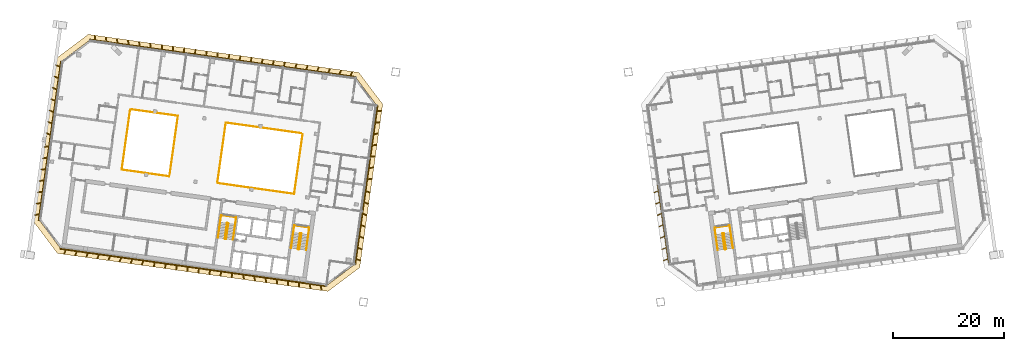
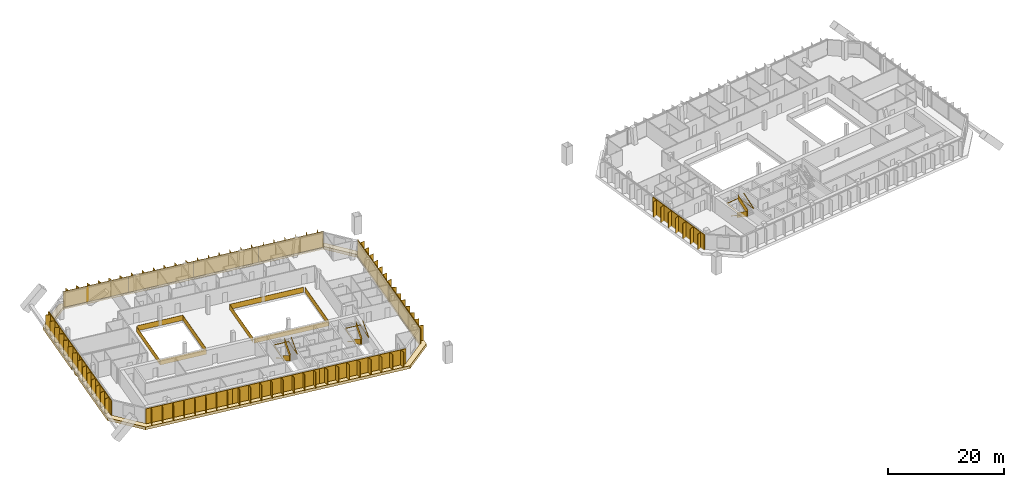
# One storey, part 28 of 29: 12 shading devices, 10 railings, 1 covering.
"""IFC4 building model written with IfcOpenShell, lengths in metres."""

from ifc_helpers import new_model, si_unit, direction, frame, origin, origin_2d, place, context, subcontext, project, spatial, polyline, rectangle, outline, extrude, material, layer, layer_set, type_object, element, save


model = new_model("IFC4")

# Units and contexts
model_context = context("Model", 3, precision=1e-05, world=origin(), true_north=direction((0.0, 1.0)))
body_context = subcontext(model_context, "Body", "Model", "MODEL_VIEW")
ifc_project = project(units=[si_unit("LENGTHUNIT", "METRE"), si_unit("AREAUNIT", "SQUARE_METRE"), si_unit("VOLUMEUNIT", "CUBIC_METRE"), si_unit("PLANEANGLEUNIT", "RADIAN"), si_unit("MASSUNIT", "GRAM", prefix="KILO")], contexts=[model_context])

# Site, building, storey
site_placement = place(None, origin())
site = spatial("IfcSite", under=ifc_project, at=site_placement, CompositionType="ELEMENT")
building_placement = place(site_placement, origin())
building = spatial("IfcBuilding", under=site, at=building_placement, Name="Mirante Cascada Hotel Towers", CompositionType="ELEMENT")
storey_placement = place(building_placement, frame((0.0, 0.0, 206.8)))
storey = spatial("IfcBuildingStorey", under=building, at=storey_placement, Name="L49", CompositionType="ELEMENT", Elevation=206.8)

# Railings
ifc_material_1 = material(Name="Toughened glass with stainless steel handrail", Category="steel")
railing_type_1 = type_object("IfcRailingType", Name="Atrium guard 1100 glass balustrade", PredefinedType="GUARDRAIL", material=ifc_material_1)
railing_1_placement = place(storey_placement, frame((-37.864, 6.7125, 0.0)))
element("IfcRailing", 1, at=railing_1_placement, inside=storey, type_object=railing_type_1, Name="GUARD 1-L49-1", PredefinedType="GUARDRAIL", context=body_context, shape_type="SweptSolid", body=[
    extrude(rectangle(XDim=0.048, YDim=0.048, at=origin_2d()), frame((0.0, 0.0, 1.076), z_axis=(-0.1391712, -0.9902683, 0.0), x_axis=(0.9902683, -0.1391712, 0.0)), (0.0, 0.0, 1.0), 10.9333),
    extrude(rectangle(XDim=0.02, YDim=1.052, at=origin_2d()), frame((0.0, 0.0, 0.526), z_axis=(-0.1391712, -0.9902683, 0.0), x_axis=(0.9902683, -0.1391712, 0.0)), (0.0, 0.0, 1.0), 10.9333),
    extrude(rectangle(XDim=0.048, YDim=0.048, at=origin_2d()), frame((-1.5216, -10.8269, 1.076), z_axis=(-0.9902678, 0.1391747, 0.0), x_axis=(-0.1391747, -0.9902678, 0.0)), (0.0, 0.0, 1.0), 13.9982),
    extrude(rectangle(XDim=0.02, YDim=1.052, at=origin_2d()), frame((-1.5216, -10.8269, 0.526), z_axis=(-0.9902678, 0.1391747, 0.0), x_axis=(-0.1391747, -0.9902678, 0.0)), (0.0, 0.0, 1.0), 13.9982),
])
railing_2_placement = place(storey_placement, frame((-61.9955, -0.9367, 0.0)))
element("IfcRailing", 2, at=railing_2_placement, inside=storey, type_object=railing_type_1, Name="GUARD 1-L49-2", PredefinedType="GUARDRAIL", context=body_context, shape_type="SweptSolid", body=[
    extrude(rectangle(XDim=0.048, YDim=0.048, at=origin_2d()), frame((0.0, 0.0, 1.076), z_axis=(-0.9902686, 0.1391695, 0.0), x_axis=(-0.1391695, -0.9902686, 0.0)), (0.0, 0.0, 1.0), 8.6679),
    extrude(rectangle(XDim=0.02, YDim=1.052, at=origin_2d()), frame((0.0, 0.0, 0.526), z_axis=(-0.9902686, 0.1391695, 0.0), x_axis=(-0.1391695, -0.9902686, 0.0)), (0.0, 0.0, 1.0), 8.6679),
    extrude(rectangle(XDim=0.048, YDim=0.048, at=origin_2d()), frame((-8.5835, 1.2063, 1.076), z_axis=(0.1391712, 0.9902683, 0.0), x_axis=(-0.9902683, 0.1391712, 0.0)), (0.0, 0.0, 1.0), 10.9333),
    extrude(rectangle(XDim=0.02, YDim=1.052, at=origin_2d()), frame((-8.5835, 1.2063, 0.526), z_axis=(0.1391712, 0.9902683, 0.0), x_axis=(-0.9902683, 0.1391712, 0.0)), (0.0, 0.0, 1.0), 10.9333),
])
railing_3_placement = place(storey_placement, frame((-61.9058, -0.6508, 0.0)))
element("IfcRailing", 3, at=railing_3_placement, inside=storey, type_object=railing_type_1, Name="GUARD 1-L49-3", PredefinedType="GUARDRAIL", context=body_context, shape_type="SweptSolid", body=[
    extrude(rectangle(XDim=0.048, YDim=0.048, at=origin_2d()), frame((0.0, 0.0, 1.076), z_axis=(0.1391702, 0.9902685, 0.0), x_axis=(-0.9902685, 0.1391702, 0.0)), (0.0, 0.0, 1.0), 10.7545),
    extrude(rectangle(XDim=0.02, YDim=1.052, at=origin_2d()), frame((0.0, 0.0, 0.526), z_axis=(0.1391702, 0.9902685, 0.0), x_axis=(-0.9902685, 0.1391702, 0.0)), (0.0, 0.0, 1.0), 10.7545),
    extrude(rectangle(XDim=0.048, YDim=0.048, at=origin_2d()), frame((1.4967, 10.6498, 1.076), z_axis=(-0.9902699, 0.1391603, 0.0), x_axis=(-0.1391603, -0.9902699, 0.0)), (0.0, 0.0, 1.0), 8.4406),
    extrude(rectangle(XDim=0.02, YDim=1.052, at=origin_2d()), frame((1.4967, 10.6498, 0.526), z_axis=(-0.9902699, 0.1391603, 0.0), x_axis=(-0.1391603, -0.9902699, 0.0)), (0.0, 0.0, 1.0), 8.4406),
])
railing_4_placement = place(storey_placement, frame((-38.1213, 6.8666, 0.0)))
element("IfcRailing", 4, at=railing_4_placement, inside=storey, type_object=railing_type_1, Name="GUARD 1-L49-4", PredefinedType="GUARDRAIL", context=body_context, shape_type="SweptSolid", body=[
    extrude(rectangle(XDim=0.048, YDim=0.048, at=origin_2d()), frame((0.0, 0.0, 1.076), z_axis=(-0.9902686, 0.1391692, 0.0), x_axis=(-0.1391692, -0.9902686, 0.0)), (0.0, 0.0, 1.0), 13.771),
    extrude(rectangle(XDim=0.02, YDim=1.052, at=origin_2d()), frame((0.0, 0.0, 0.526), z_axis=(-0.9902686, 0.1391692, 0.0), x_axis=(-0.1391692, -0.9902686, 0.0)), (0.0, 0.0, 1.0), 13.771),
    extrude(rectangle(XDim=0.048, YDim=0.048, at=origin_2d()), frame((-13.637, 1.9165, 1.076), z_axis=(-0.1391715, -0.9902683, 0.0), x_axis=(0.9902683, -0.1391715, 0.0)), (0.0, 0.0, 1.0), 10.7544),
    extrude(rectangle(XDim=0.02, YDim=1.052, at=origin_2d()), frame((-13.637, 1.9165, 0.526), z_axis=(-0.1391715, -0.9902683, 0.0), x_axis=(0.9902683, -0.1391715, 0.0)), (0.0, 0.0, 1.0), 10.7544),
])

# Covering
ifc_material_2 = material(Name="Precast concrete C40/50 white", Category="concrete")
ifc_layer = layer(ifc_material_2, 0.6)
ifc_layer_set = layer_set([ifc_layer], Name="Precast concrete SUNSHADE band 1000x600")
covering_type = type_object("IfcCoveringType", Name="Precast concrete SUNSHADE band 1000x600", PredefinedType="CLADDING", material=ifc_layer_set)
covering_placement = place(storey_placement, frame((0.0, 0.0, -0.45)))
element("IfcCovering", 5, at=covering_placement, inside=storey, type_object=covering_type, Name="Precast concrete SUNSHADE band T1 L49", PredefinedType="CLADDING", context=body_context, shape_type="SweptSolid", body=[
    extrude(outline(polyline([(-86.5404, -9.1145), (-84.6931, 4.0293), (-84.6924, 4.0297), (-84.6572, 4.0517), (-84.6244, 4.0769), (-84.5941, 4.1053), (-84.5668, 4.1366), (-84.5428, 4.1703), (-84.5221, 4.2062), (-84.505, 4.244), (-84.4918, 4.2833), (-84.4824, 4.3237), (-84.3843, 4.8678), (-84.3789, 4.9089), (-84.3776, 4.9504), (-84.3804, 4.9917), (-84.3872, 5.0326), (-84.398, 5.0727), (-84.4127, 5.1115), (-84.4311, 5.1486), (-84.453, 5.1838), (-84.4783, 5.2166), (-84.5067, 5.2469), (-84.5204, 5.2588), (-84.4091, 6.0502), (-84.3927, 6.058), (-84.3571, 6.0792), (-84.3237, 6.1038), (-84.2929, 6.1315), (-84.265, 6.1622), (-84.2402, 6.1954), (-84.2188, 6.2309), (-84.201, 6.2684), (-84.1869, 6.3074), (-84.1767, 6.3476), (-84.1705, 6.3886), (-84.1149, 6.9387), (-84.1128, 6.9801), (-84.1147, 7.0215), (-84.1207, 7.0625), (-84.1306, 7.1028), (-84.1445, 7.1418), (-84.1621, 7.1794), (-84.1833, 7.215), (-84.2079, 7.2483), (-84.2357, 7.2791), (-84.2363, 7.2797), (-82.3891, 20.4236), (-76.645, 24.7521), (-27.7108, 17.8748), (-23.3823, 12.1307), (-27.5336, -17.4074), (-33.2777, -21.7359), (-82.2119, -14.8586), (-86.5404, -9.1145)]), holes=[polyline([(-24.4302, 11.8597), (-28.2602, 16.9422), (-76.374, 23.7042), (-81.4565, 19.8742), (-85.4925, -8.8435), (-81.6626, -13.926), (-33.5487, -20.688), (-28.4663, -16.8581), (-24.4302, 11.8597)])]), origin(), (0.0, 0.0, 1.0), 0.6),
])

# Railings
ifc_material_3 = material(Name="Painted steel", Category="steel")
railing_type_2 = type_object("IfcRailingType", Name="Stair guard 1100 steel balustrade", PredefinedType="GUARDRAIL", material=ifc_material_3)
railing_5_placement = place(storey_placement, frame((-38.1178, -11.2603, 0.0)))
element("IfcRailing", 6, at=railing_5_placement, inside=storey, type_object=railing_type_2, Name="L49 ST1-A stair guard 1", PredefinedType="GUARDRAIL", context=body_context, shape_type="SweptSolid", body=[
    extrude(rectangle(XDim=0.048, YDim=0.048, at=origin_2d()), frame((0.0, 0.0, 1.076), z_axis=(-0.9903326, 0.1387133, 0.0), x_axis=(-0.1387133, -0.9903326, 0.0)), (0.0, 0.0, 1.0), 0.1499),
    extrude(rectangle(XDim=0.02, YDim=1.052, at=origin_2d()), frame((0.0, 0.0, 0.526), z_axis=(-0.9903326, 0.1387133, 0.0), x_axis=(-0.1387133, -0.9903326, 0.0)), (0.0, 0.0, 1.0), 0.1499),
    extrude(rectangle(XDim=0.048, YDim=0.048, at=origin_2d()), frame((-0.1485, 0.0208, 1.076), z_axis=(-0.7991505, -0.6011309, 0.0), x_axis=(0.6011309, -0.7991505, 0.0)), (0.0, 0.9254529, 0.3788627), 0.1866),
    extrude(rectangle(XDim=0.02, YDim=1.052, at=origin_2d()), frame((-0.1485, 0.0208, 0.526), z_axis=(-0.7991505, -0.6011309, 0.0), x_axis=(0.6011309, -0.7991505, 0.0)), (0.0, 0.9254529, 0.3788627), 0.1866),
    extrude(rectangle(XDim=0.048, YDim=0.048, at=origin_2d()), frame((-0.205, -0.0217, 1.2487), z_axis=(-0.139176, -0.9902677, 0.0), x_axis=(0.9902677, -0.139176, 0.0)), (0.0, 0.5250212, 0.8510891), 3.29),
    extrude(rectangle(XDim=0.02, YDim=1.052, at=origin_2d()), frame((-0.205, -0.0217, 0.6987), z_axis=(-0.139176, -0.9902677, 0.0), x_axis=(0.9902677, -0.139176, 0.0)), (0.0, 0.5250212, 0.8510891), 3.29),
    extrude(rectangle(XDim=0.048, YDim=0.048, at=origin_2d()), frame((-0.5947, -2.7945, 2.976), z_axis=(0.9270311, -0.3749843, 0.0), x_axis=(0.3749843, 0.9270311, 0.0)), (0.0, 0.0, 1.0), 0.2061),
    extrude(rectangle(XDim=0.02, YDim=1.052, at=origin_2d()), frame((-0.5947, -2.7945, 2.426), z_axis=(0.9270311, -0.3749843, 0.0), x_axis=(0.3749843, 0.9270311, 0.0)), (0.0, 0.0, 1.0), 0.2061),
    extrude(rectangle(XDim=0.048, YDim=0.048, at=origin_2d()), frame((-0.4036, -2.8718, 2.976), z_axis=(-0.9902408, 0.1393672, 0.0), x_axis=(-0.1393672, -0.9902408, 0.0)), (0.0, 0.0, 1.0), 0.15),
    extrude(rectangle(XDim=0.02, YDim=1.052, at=origin_2d()), frame((-0.4036, -2.8718, 2.426), z_axis=(-0.9902408, 0.1393672, 0.0), x_axis=(-0.1393672, -0.9902408, 0.0)), (0.0, 0.0, 1.0), 0.15),
    extrude(rectangle(XDim=0.048, YDim=0.048, at=origin_2d()), frame((-0.5521, -2.8509, 2.976), z_axis=(0.9944948, 0.1047858, 0.0), x_axis=(-0.1047858, 0.9944948, 0.0)), (0.0, 0.6422034, 0.7665343), 0.2689),
    extrude(rectangle(XDim=0.02, YDim=1.052, at=origin_2d()), frame((-0.5521, -2.8509, 2.426), z_axis=(0.9944948, 0.1047858, 0.0), x_axis=(-0.1047858, 0.9944948, 0.0)), (0.0, 0.6422034, 0.7665343), 0.2689),
    extrude(rectangle(XDim=0.048, YDim=0.048, at=origin_2d()), frame((-0.3471, -2.8293, 3.1487), z_axis=(0.139176, 0.9902677, 0.0), x_axis=(-0.9902677, 0.139176, 0.0)), (0.0, 0.5250212, 0.8510891), 3.29),
    extrude(rectangle(XDim=0.02, YDim=1.052, at=origin_2d()), frame((-0.3471, -2.8293, 2.5987), z_axis=(0.139176, 0.9902677, 0.0), x_axis=(-0.9902677, 0.139176, 0.0)), (0.0, 0.5250212, 0.8510891), 3.29),
])
railing_6_placement = place(storey_placement, frame((-51.3379, -9.4024, 0.0)))
element("IfcRailing", 7, at=railing_6_placement, inside=storey, type_object=railing_type_2, Name="L49 ST1-B stair guard 1", PredefinedType="GUARDRAIL", context=body_context, shape_type="SweptSolid", body=[
    extrude(rectangle(XDim=0.048, YDim=0.048, at=origin_2d()), frame((0.0, 0.0, 1.076), z_axis=(-0.9902408, 0.1393672, 0.0), x_axis=(-0.1393672, -0.9902408, 0.0)), (0.0, 0.0, 1.0), 0.15),
    extrude(rectangle(XDim=0.02, YDim=1.052, at=origin_2d()), frame((0.0, 0.0, 0.526), z_axis=(-0.9902408, 0.1393672, 0.0), x_axis=(-0.1393672, -0.9902408, 0.0)), (0.0, 0.0, 1.0), 0.15),
    extrude(rectangle(XDim=0.048, YDim=0.048, at=origin_2d()), frame((-0.1485, 0.0209, 1.076), z_axis=(-0.7984711, -0.6020331, 0.0), x_axis=(0.6020331, -0.7984711, 0.0)), (0.0, 0.9253398, 0.3791387), 0.1866),
    extrude(rectangle(XDim=0.02, YDim=1.052, at=origin_2d()), frame((-0.1485, 0.0209, 0.526), z_axis=(-0.7984711, -0.6020331, 0.0), x_axis=(0.6020331, -0.7984711, 0.0)), (0.0, 0.9253398, 0.3791387), 0.1866),
    extrude(rectangle(XDim=0.048, YDim=0.048, at=origin_2d()), frame((-0.205, -0.0217, 1.2487), z_axis=(-0.139181, -0.990267, 0.0), x_axis=(0.990267, -0.139181, 0.0)), (0.0, 0.5250347, 0.8510808), 3.2899),
    extrude(rectangle(XDim=0.02, YDim=1.052, at=origin_2d()), frame((-0.205, -0.0217, 0.6987), z_axis=(-0.139181, -0.990267, 0.0), x_axis=(0.990267, -0.139181, 0.0)), (0.0, 0.5250347, 0.8510808), 3.2899),
    extrude(rectangle(XDim=0.048, YDim=0.048, at=origin_2d()), frame((-0.5947, -2.7944, 2.976), z_axis=(0.9268624, -0.3754011, 0.0), x_axis=(0.3754011, 0.9268624, 0.0)), (0.0, 0.0, 1.0), 0.2062),
    extrude(rectangle(XDim=0.02, YDim=1.052, at=origin_2d()), frame((-0.5947, -2.7944, 2.426), z_axis=(0.9268624, -0.3754011, 0.0), x_axis=(0.3754011, 0.9268624, 0.0)), (0.0, 0.0, 1.0), 0.2062),
    extrude(rectangle(XDim=0.048, YDim=0.048, at=origin_2d()), frame((-0.4036, -2.8718, 2.976), z_axis=(-0.9902408, 0.1393672, 0.0), x_axis=(-0.1393672, -0.9902408, 0.0)), (0.0, 0.0, 1.0), 0.15),
    extrude(rectangle(XDim=0.02, YDim=1.052, at=origin_2d()), frame((-0.4036, -2.8718, 2.426), z_axis=(-0.9902408, 0.1393672, 0.0), x_axis=(-0.1393672, -0.9902408, 0.0)), (0.0, 0.0, 1.0), 0.15),
    extrude(rectangle(XDim=0.048, YDim=0.048, at=origin_2d()), frame((-0.5521, -2.8509, 2.976), z_axis=(0.9944441, 0.1052656, 0.0), x_axis=(-0.1052656, 0.9944441, 0.0)), (0.0, 0.6421842, 0.7665504), 0.2689),
    extrude(rectangle(XDim=0.02, YDim=1.052, at=origin_2d()), frame((-0.5521, -2.8509, 2.426), z_axis=(0.9944441, 0.1052656, 0.0), x_axis=(-0.1052656, 0.9944441, 0.0)), (0.0, 0.6421842, 0.7665504), 0.2689),
    extrude(rectangle(XDim=0.048, YDim=0.048, at=origin_2d()), frame((-0.3471, -2.8292, 3.1487), z_axis=(0.139181, 0.990267, 0.0), x_axis=(-0.990267, 0.139181, 0.0)), (0.0, 0.5250347, 0.8510808), 3.2899),
    extrude(rectangle(XDim=0.02, YDim=1.052, at=origin_2d()), frame((-0.3471, -2.8292, 2.5987), z_axis=(0.139181, 0.990267, 0.0), x_axis=(-0.990267, 0.139181, 0.0)), (0.0, 0.5250347, 0.8510808), 3.2899),
])
railing_7_placement = place(storey_placement, frame((38.2663, -11.2395, 0.0)))
element("IfcRailing", 8, at=railing_7_placement, inside=storey, type_object=railing_type_2, Name="L49 ST2-A stair guard 1", PredefinedType="GUARDRAIL", context=body_context, shape_type="SweptSolid", body=[
    extrude(rectangle(XDim=0.048, YDim=0.048, at=origin_2d()), frame((0.0, 0.0, 1.076), z_axis=(-0.9903326, -0.1387133, 0.0), x_axis=(0.1387133, -0.9903326, 0.0)), (0.0, 0.0, 1.0), 0.1499),
    extrude(rectangle(XDim=0.02, YDim=1.052, at=origin_2d()), frame((0.0, 0.0, 0.526), z_axis=(-0.9903326, -0.1387133, 0.0), x_axis=(0.1387133, -0.9903326, 0.0)), (0.0, 0.0, 1.0), 0.1499),
    extrude(rectangle(XDim=0.048, YDim=0.048, at=origin_2d()), frame((-0.1485, -0.0208, 1.076), z_axis=(-0.6020331, -0.7984711, 0.0), x_axis=(0.7984711, -0.6020331, 0.0)), (0.0, 0.9253398, 0.3791387), 0.1866),
    extrude(rectangle(XDim=0.02, YDim=1.052, at=origin_2d()), frame((-0.1485, -0.0208, 0.526), z_axis=(-0.6020331, -0.7984711, 0.0), x_axis=(0.7984711, -0.6020331, 0.0)), (0.0, 0.9253398, 0.3791387), 0.1866),
    extrude(rectangle(XDim=0.048, YDim=0.048, at=origin_2d()), frame((-0.1911, -0.0773, 1.2487), z_axis=(0.139176, -0.9902677, 0.0), x_axis=(0.9902677, 0.139176, 0.0)), (0.0, 0.5250212, 0.8510891), 3.29),
    extrude(rectangle(XDim=0.02, YDim=1.052, at=origin_2d()), frame((-0.1911, -0.0773, 0.6987), z_axis=(0.139176, -0.9902677, 0.0), x_axis=(0.9902677, 0.139176, 0.0)), (0.0, 0.5250212, 0.8510891), 3.29),
    extrude(rectangle(XDim=0.048, YDim=0.048, at=origin_2d()), frame((0.1986, -2.8501, 2.976), z_axis=(0.9944948, -0.1047858, 0.0), x_axis=(0.1047858, 0.9944948, 0.0)), (0.0, 0.0, 1.0), 0.2061),
    extrude(rectangle(XDim=0.02, YDim=1.052, at=origin_2d()), frame((0.1986, -2.8501, 2.426), z_axis=(0.9944948, -0.1047858, 0.0), x_axis=(0.1047858, 0.9944948, 0.0)), (0.0, 0.0, 1.0), 0.2061),
    extrude(rectangle(XDim=0.048, YDim=0.048, at=origin_2d()), frame((0.4036, -2.8717, 2.976), z_axis=(-0.9902408, -0.1393672, 0.0), x_axis=(0.1393672, -0.9902408, 0.0)), (0.0, 0.0, 1.0), 0.15),
    extrude(rectangle(XDim=0.02, YDim=1.052, at=origin_2d()), frame((0.4036, -2.8717, 2.426), z_axis=(-0.9902408, -0.1393672, 0.0), x_axis=(0.1393672, -0.9902408, 0.0)), (0.0, 0.0, 1.0), 0.15),
    extrude(rectangle(XDim=0.048, YDim=0.048, at=origin_2d()), frame((0.2551, -2.8926, 2.976), z_axis=(0.9270311, 0.3749843, 0.0), x_axis=(-0.3749843, 0.9270311, 0.0)), (0.0, 0.6421903, 0.7665452), 0.2689),
    extrude(rectangle(XDim=0.02, YDim=1.052, at=origin_2d()), frame((0.2551, -2.8926, 2.426), z_axis=(0.9270311, 0.3749843, 0.0), x_axis=(-0.3749843, 0.9270311, 0.0)), (0.0, 0.6421903, 0.7665452), 0.2689),
    extrude(rectangle(XDim=0.048, YDim=0.048, at=origin_2d()), frame((0.4462, -2.8153, 3.1487), z_axis=(-0.139176, 0.9902677, 0.0), x_axis=(-0.9902677, -0.139176, 0.0)), (0.0, 0.5250212, 0.8510891), 3.29),
    extrude(rectangle(XDim=0.02, YDim=1.052, at=origin_2d()), frame((0.4462, -2.8153, 2.5987), z_axis=(-0.139176, 0.9902677, 0.0), x_axis=(-0.9902677, -0.139176, 0.0)), (0.0, 0.5250212, 0.8510891), 3.29),
])
ifc_material_4 = material(Name="Painted steel", Category="steel")
railing_type_3 = type_object("IfcRailingType", Name="Stair handrail 900 steel tube", PredefinedType="HANDRAIL", material=ifc_material_4)
railing_8_placement = place(storey_placement, frame((-39.5606, -11.1081, 0.1727)))
element("IfcRailing", 9, at=railing_8_placement, inside=storey, type_object=railing_type_3, Name="L49 ST1-A stair handrail 1", PredefinedType="HANDRAIL", context=body_context, shape_type="SweptSolid", body=[
    extrude(rectangle(XDim=0.048, YDim=0.048, at=origin_2d()), frame((0.0, 0.0, 0.876), z_axis=(-0.139181, -0.990267, 0.0), x_axis=(0.990267, -0.139181, 0.0)), (0.0, 0.5250347, 0.8510808), 3.2899),
    extrude(rectangle(XDim=0.048, YDim=0.048, at=origin_2d()), frame((-0.3897, -2.7727, 2.6033), z_axis=(0.1391707, 0.9902684, 0.0), x_axis=(-0.9902684, 0.1391707, 0.0)), (0.0, 0.0420846, 0.999114), 4.1036),
    extrude(rectangle(XDim=0.048, YDim=0.048, at=origin_2d()), frame((0.1809, 1.2874, 2.776), z_axis=(0.9902691, -0.1391657, 0.0), x_axis=(0.1391657, 0.9902691, 0.0)), (0.0, 0.0, 1.0), 2.75),
    extrude(rectangle(XDim=0.048, YDim=0.048, at=origin_2d()), frame((2.9041, 0.9047, 2.776), z_axis=(-0.1391707, -0.9902684, 0.0), x_axis=(0.9902684, -0.1391707, 0.0)), (0.0, 0.0, 1.0), 4.1),
    extrude(rectangle(XDim=0.048, YDim=0.048, at=origin_2d()), frame((2.3335, -3.1554, 2.776), z_axis=(0.139181, 0.990267, 0.0), x_axis=(-0.990267, 0.139181, 0.0)), (0.0, 0.5250347, 0.8510808), 3.2899),
])
railing_9_placement = place(storey_placement, frame((-52.7807, -9.2501, 0.1727)))
element("IfcRailing", 10, at=railing_9_placement, inside=storey, type_object=railing_type_3, Name="L49 ST1-B stair handrail 1", PredefinedType="HANDRAIL", context=body_context, shape_type="SweptSolid", body=[
    extrude(rectangle(XDim=0.048, YDim=0.048, at=origin_2d()), frame((0.0, 0.0, 0.876), z_axis=(-0.139181, -0.990267, 0.0), x_axis=(0.990267, -0.139181, 0.0)), (0.0, 0.5250347, 0.8510808), 3.2899),
    extrude(rectangle(XDim=0.048, YDim=0.048, at=origin_2d()), frame((-0.3897, -2.7727, 2.6033), z_axis=(0.1391707, 0.9902684, 0.0), x_axis=(-0.9902684, 0.1391707, 0.0)), (0.0, 0.0420846, 0.999114), 4.1036),
    extrude(rectangle(XDim=0.048, YDim=0.048, at=origin_2d()), frame((0.1809, 1.2874, 2.776), z_axis=(0.9902641, -0.1392013, 0.0), x_axis=(0.1392013, 0.9902641, 0.0)), (0.0, 0.0, 1.0), 2.75),
    extrude(rectangle(XDim=0.048, YDim=0.048, at=origin_2d()), frame((2.9041, 0.9046, 2.776), z_axis=(-0.1391707, -0.9902684, 0.0), x_axis=(0.9902684, -0.1391707, 0.0)), (0.0, 0.0, 1.0), 4.1),
    extrude(rectangle(XDim=0.048, YDim=0.048, at=origin_2d()), frame((2.3335, -3.1555, 2.776), z_axis=(0.139176, 0.9902677, 0.0), x_axis=(-0.9902677, 0.139176, 0.0)), (0.0, 0.5250212, 0.8510891), 3.29),
])
railing_10_placement = place(storey_placement, frame((36.8374, -11.4908, 0.1727)))
element("IfcRailing", 11, at=railing_10_placement, inside=storey, type_object=railing_type_3, Name="L49 ST2-A stair handrail 1", PredefinedType="HANDRAIL", context=body_context, shape_type="SweptSolid", body=[
    extrude(rectangle(XDim=0.048, YDim=0.048, at=origin_2d()), frame((0.0, 0.0, 0.876), z_axis=(0.139181, -0.990267, 0.0), x_axis=(0.990267, 0.139181, 0.0)), (0.0, 0.5250347, 0.8510808), 3.2899),
    extrude(rectangle(XDim=0.048, YDim=0.048, at=origin_2d()), frame((0.3897, -2.7727, 2.6033), z_axis=(-0.1391707, 0.9902684, 0.0), x_axis=(-0.9902684, -0.1391707, 0.0)), (0.0, 0.0420846, 0.999114), 4.1036),
    extrude(rectangle(XDim=0.048, YDim=0.048, at=origin_2d()), frame((-0.1809, 1.2874, 2.776), z_axis=(0.9902691, 0.1391657, 0.0), x_axis=(-0.1391657, 0.9902691, 0.0)), (0.0, 0.0, 1.0), 2.75),
    extrude(rectangle(XDim=0.048, YDim=0.048, at=origin_2d()), frame((2.5423, 1.6701, 2.776), z_axis=(0.1391707, -0.9902684, 0.0), x_axis=(0.9902684, 0.1391707, 0.0)), (0.0, 0.0, 1.0), 4.1),
    extrude(rectangle(XDim=0.048, YDim=0.048, at=origin_2d()), frame((3.1129, -2.39, 2.776), z_axis=(-0.139181, 0.990267, 0.0), x_axis=(-0.990267, -0.139181, 0.0)), (0.0, 0.5250347, 0.8510808), 3.2899),
])

# Shading devices
ifc_material_5 = material(Name="White precast concrete C50/60 fin", Category="concrete")
shading_device_type = type_object("IfcShadingDeviceType", Name="Vertical fin set 4500x900", PredefinedType="USERDEFINED", material=ifc_material_5)
shading_device_1_placement = place(storey_placement, origin())
element("IfcShadingDevice", 12, at=shading_device_1_placement, inside=storey, type_object=shading_device_type, Name="FIN T1 L49 front 1", ObjectType="FIN", PredefinedType="USERDEFINED", context=body_context, shape_type="SweptSolid", body=[
    extrude(outline(polyline([(-65.404, 23.1517), (-65.2993, 22.2992), (-64.3247, 22.1622), (-64.3455, 22.0137), (-76.374, 23.7042), (-76.3531, 23.8527), (-75.405, 23.7195), (-75.5071, 24.5507), (-75.4277, 24.5605), (-75.323, 23.7079), (-73.4003, 23.4377), (-73.5023, 24.269), (-73.4229, 24.2787), (-73.3183, 23.4262), (-71.3955, 23.156), (-71.4976, 23.9872), (-71.4182, 23.997), (-71.3135, 23.1444), (-69.3908, 22.8742), (-69.4928, 23.7055), (-69.4134, 23.7152), (-69.3088, 22.8627), (-67.386, 22.5925), (-67.4881, 23.4237), (-67.4087, 23.4335), (-67.304, 22.5809), (-65.3813, 22.3107), (-65.4834, 23.142), (-65.404, 23.1517)])), origin(), (0.0, 0.0, 1.0), 3.3),
])
shading_device_2_placement = place(storey_placement, origin())
element("IfcShadingDevice", 13, at=shading_device_2_placement, inside=storey, type_object=shading_device_type, Name="FIN T1 L49 front 2", ObjectType="FIN", PredefinedType="USERDEFINED", context=body_context, shape_type="SweptSolid", body=[
    extrude(outline(polyline([(-53.2185, 21.4598), (-53.2631, 20.6076), (-52.2962, 20.4717), (-52.3171, 20.3232), (-64.3455, 22.0137), (-64.3247, 22.1622), (-63.3664, 22.0275), (-63.3221, 22.8727), (-63.2422, 22.8685), (-63.2868, 22.0164), (-61.3616, 21.7458), (-61.3173, 22.5909), (-61.2374, 22.5868), (-61.2821, 21.7346), (-59.3569, 21.464), (-59.3126, 22.3092), (-59.2327, 22.305), (-59.2774, 21.4529), (-57.3521, 21.1823), (-57.3079, 22.0274), (-57.228, 22.0233), (-57.2726, 21.1711), (-55.3474, 20.9005), (-55.3031, 21.7457), (-55.2232, 21.7415), (-55.2679, 20.8894), (-53.3427, 20.6188), (-53.2984, 21.4639), (-53.2185, 21.4598)])), origin(), (0.0, 0.0, 1.0), 3.3),
])
shading_device_3_placement = place(storey_placement, origin())
element("IfcShadingDevice", 14, at=shading_device_3_placement, inside=storey, type_object=shading_device_type, Name="FIN T1 L49 front 3", ObjectType="FIN", PredefinedType="USERDEFINED", context=body_context, shape_type="SweptSolid", body=[
    extrude(outline(polyline([(-41.0356, 19.7405), (-41.226, 18.9159), (-40.2677, 18.7812), (-40.2886, 18.6327), (-52.3171, 20.3232), (-52.2962, 20.4717), (-51.3293, 20.3358), (-51.1373, 21.1673), (-51.0594, 21.1493), (-51.2497, 20.3247), (-49.3245, 20.0541), (-49.1326, 20.8855), (-49.0546, 20.8675), (-49.245, 20.0429), (-47.3198, 19.7723), (-47.1278, 20.6038), (-47.0499, 20.5858), (-47.2402, 19.7612), (-45.315, 19.4906), (-45.1231, 20.322), (-45.0451, 20.304), (-45.2355, 19.4794), (-43.3103, 19.2088), (-43.1183, 20.0403), (-43.0404, 20.0223), (-43.2308, 19.1977), (-41.3055, 18.9271), (-41.1136, 19.7585), (-41.0356, 19.7405)])), origin(), (0.0, 0.0, 1.0), 3.3),
])
shading_device_4_placement = place(storey_placement, origin())
element("IfcShadingDevice", 15, at=shading_device_4_placement, inside=storey, type_object=shading_device_type, Name="FIN T1 L49 front 4", ObjectType="FIN", PredefinedType="USERDEFINED", context=body_context, shape_type="SweptSolid", body=[
    extrude(outline(polyline([(-28.8601, 17.9949), (-29.1874, 17.224), (-28.2393, 17.0907), (-28.2602, 16.9422), (-40.2886, 18.6327), (-40.2677, 18.7812), (-39.2931, 18.6443), (-38.9575, 19.4349), (-38.8839, 19.4037), (-39.2111, 18.6327), (-37.2884, 18.3625), (-36.9528, 19.1532), (-36.8791, 19.1219), (-37.2064, 18.351), (-35.2836, 18.0808), (-34.948, 18.8714), (-34.8744, 18.8402), (-35.2016, 18.0692), (-33.2789, 17.799), (-32.9433, 18.5897), (-32.8696, 18.5584), (-33.1969, 17.7875), (-31.2741, 17.5173), (-30.9385, 18.3079), (-30.8649, 18.2767), (-31.1921, 17.5057), (-29.2694, 17.2355), (-28.9338, 18.0262), (-28.8601, 17.9949)])), origin(), (0.0, 0.0, 1.0), 3.3),
])
shading_device_5_placement = place(storey_placement, origin())
element("IfcShadingDevice", 16, at=shading_device_5_placement, inside=storey, type_object=shading_device_type, Name="FIN T1 L49 inner 1", ObjectType="FIN", PredefinedType="USERDEFINED", context=body_context, shape_type="SweptSolid", body=[
    extrude(outline(polyline([(-26.1595, -1.5221), (-26.2997, -2.52), (-26.4482, -2.4992), (-24.4302, 11.8597), (-24.2817, 11.8388), (-24.4182, 10.8675), (-23.5869, 10.9696), (-23.5772, 10.8901), (-24.4297, 10.7855), (-24.7065, 8.8162), (-23.8752, 8.9183), (-23.8655, 8.8389), (-24.718, 8.7342), (-24.9948, 6.7649), (-24.1635, 6.867), (-24.1538, 6.7876), (-25.0063, 6.6829), (-25.2831, 4.7137), (-24.4518, 4.8157), (-24.4421, 4.7363), (-25.2946, 4.6317), (-25.5714, 2.6624), (-24.7401, 2.7645), (-24.7303, 2.6851), (-25.5829, 2.5804), (-25.8596, 0.6111), (-25.0284, 0.7132), (-25.0186, 0.6338), (-25.8712, 0.5291), (-26.1479, -1.4401), (-25.3167, -1.3381), (-25.3069, -1.4175), (-26.1595, -1.5221)])), origin(), (0.0, 0.0, 1.0), 3.3),
])
shading_device_6_placement = place(storey_placement, origin())
element("IfcShadingDevice", 17, at=shading_device_6_placement, inside=storey, type_object=shading_device_type, Name="FIN T1 L49 inner 2", ObjectType="FIN", PredefinedType="USERDEFINED", context=body_context, shape_type="SweptSolid", body=[
    extrude(outline(polyline([(-28.1812, -15.9076), (-28.3177, -16.8789), (-28.4663, -16.8581), (-26.4482, -2.4992), (-26.2997, -2.52), (-26.44, -3.5179), (-25.6493, -3.8536), (-25.6805, -3.9272), (-26.4515, -3.6), (-26.7282, -5.5692), (-25.9376, -5.9048), (-25.9688, -5.9785), (-26.7398, -5.6512), (-27.0165, -7.6205), (-26.2259, -7.9561), (-26.2571, -8.0297), (-27.0281, -7.7025), (-27.3048, -9.6717), (-26.5141, -10.0074), (-26.5454, -10.081), (-27.3163, -9.7538), (-27.5931, -11.723), (-26.8024, -12.0586), (-26.8337, -12.1323), (-27.6046, -11.805), (-27.8814, -13.7743), (-27.0907, -14.1099), (-27.122, -14.1835), (-27.8929, -13.8563), (-28.1697, -15.8256), (-27.379, -16.1612), (-27.4103, -16.2348), (-28.1812, -15.9076)])), origin(), (0.0, 0.0, 1.0), 3.3),
])
shading_device_7_placement = place(storey_placement, origin())
element("IfcShadingDevice", 18, at=shading_device_7_placement, inside=storey, type_object=shading_device_type, Name="FIN T1 L49 outer 1", ObjectType="FIN", PredefinedType="USERDEFINED", context=body_context, shape_type="SweptSolid", body=[
    extrude(outline(polyline([(-85.493, -7.7693), (-85.2162, -5.8), (-86.0475, -5.9021), (-86.0572, -5.8227), (-85.2047, -5.718), (-84.9279, -3.7488), (-85.7592, -3.8508), (-85.769, -3.7714), (-84.9164, -3.6667), (-84.6396, -1.6975), (-85.4709, -1.7996), (-85.4807, -1.7202), (-84.6281, -1.6155), (-84.3514, 0.3538), (-85.1826, 0.2517), (-85.1924, 0.3311), (-84.3398, 0.4358), (-84.0631, 2.405), (-84.8943, 2.303), (-84.9041, 2.3824), (-84.0515, 2.4871), (-83.7748, 4.4563), (-84.6061, 4.3542), (-84.6158, 4.4336), (-83.7633, 4.5383), (-83.623, 5.5362), (-83.4745, 5.5153), (-85.4925, -8.8435), (-85.641, -8.8227), (-85.5045, -7.8513), (-86.3358, -7.9534), (-86.3455, -7.874), (-85.493, -7.7693)])), origin(), (0.0, 0.0, 1.0), 3.3),
])
shading_device_8_placement = place(storey_placement, origin())
element("IfcShadingDevice", 19, at=shading_device_8_placement, inside=storey, type_object=shading_device_type, Name="FIN T1 L49 outer 2", ObjectType="FIN", PredefinedType="USERDEFINED", context=body_context, shape_type="SweptSolid", body=[
    extrude(outline(polyline([(-83.4712, 6.6161), (-83.1945, 8.5854), (-83.9852, 8.921), (-83.9539, 8.9946), (-83.183, 8.6674), (-82.9062, 10.6367), (-83.6969, 10.9723), (-83.6656, 11.0459), (-82.8947, 10.7187), (-82.6179, 12.6879), (-83.4086, 13.0235), (-83.3773, 13.0972), (-82.6064, 12.7699), (-82.3296, 14.7392), (-83.1203, 15.0748), (-83.089, 15.1485), (-82.3181, 14.8212), (-82.0413, 16.7905), (-82.832, 17.1261), (-82.8007, 17.1997), (-82.0298, 16.8725), (-81.753, 18.8417), (-82.5437, 19.1774), (-82.5125, 19.251), (-81.7415, 18.9238), (-81.605, 19.8951), (-81.4565, 19.8742), (-83.4745, 5.5153), (-83.623, 5.5362), (-83.4828, 6.5341), (-84.2734, 6.8697), (-84.2422, 6.9434), (-83.4712, 6.6161)])), origin(), (0.0, 0.0, 1.0), 3.3),
])
shading_device_9_placement = place(storey_placement, origin())
element("IfcShadingDevice", 20, at=shading_device_9_placement, inside=storey, type_object=shading_device_type, Name="FIN T1 L49 rear 1", ObjectType="FIN", PredefinedType="USERDEFINED", context=body_context, shape_type="SweptSolid", body=[
    extrude(outline(polyline([(-34.5997, -20.6917), (-36.5225, -20.4215), (-36.4204, -21.2528), (-36.4998, -21.2626), (-36.6045, -20.41), (-38.5272, -20.1398), (-38.4251, -20.9711), (-38.5045, -20.9808), (-38.6092, -20.1283), (-40.5319, -19.858), (-40.4299, -20.6893), (-40.5093, -20.6991), (-40.614, -19.8465), (-42.5367, -19.5763), (-42.4346, -20.4076), (-42.514, -20.4173), (-42.6187, -19.5648), (-44.5414, -19.2945), (-44.4394, -20.1258), (-44.5188, -20.1356), (-44.6234, -19.283), (-46.5462, -19.0128), (-46.4441, -19.8441), (-46.5235, -19.8538), (-46.6282, -19.0013), (-48.5509, -18.731), (-48.4488, -19.5623), (-48.5282, -19.5721), (-48.6329, -18.7195), (-49.6076, -18.5825), (-49.5867, -18.434), (-33.5487, -20.688), (-33.5696, -20.8365), (-34.5177, -20.7033), (-34.4156, -21.5345), (-34.4951, -21.5443), (-34.5997, -20.6917)])), origin(), (0.0, 0.0, 1.0), 3.3),
])
shading_device_10_placement = place(storey_placement, origin())
element("IfcShadingDevice", 21, at=shading_device_10_placement, inside=storey, type_object=shading_device_type, Name="FIN T1 L49 rear 2", ObjectType="FIN", PredefinedType="USERDEFINED", context=body_context, shape_type="SweptSolid", body=[
    extrude(outline(polyline([(-50.6495, -18.4361), (-52.5751, -18.1655), (-52.6934, -19.0072), (-52.7726, -18.9961), (-52.6543, -18.1543), (-54.5798, -17.8837), (-54.6981, -18.7255), (-54.7773, -18.7143), (-54.659, -17.8726), (-56.5845, -17.602), (-56.7028, -18.4437), (-56.7821, -18.4326), (-56.6638, -17.5909), (-58.5893, -17.3202), (-58.7076, -18.162), (-58.7868, -18.1508), (-58.6685, -17.3091), (-60.594, -17.0385), (-60.7123, -17.8802), (-60.7915, -17.8691), (-60.6733, -17.0274), (-62.5988, -16.7567), (-62.7171, -17.5985), (-62.7963, -17.5873), (-62.678, -16.7456), (-64.6035, -16.475), (-64.7218, -17.3167), (-64.801, -17.3056), (-64.6827, -16.4639), (-65.6455, -16.3286), (-65.6246, -16.18), (-49.5867, -18.434), (-49.6076, -18.5825), (-50.5703, -18.4472), (-50.6886, -19.289), (-50.7678, -19.2778), (-50.6495, -18.4361)])), origin(), (0.0, 0.0, 1.0), 3.3),
])
shading_device_11_placement = place(storey_placement, origin())
element("IfcShadingDevice", 22, at=shading_device_11_placement, inside=storey, type_object=shading_device_type, Name="FIN T1 L49 rear 3", ObjectType="FIN", PredefinedType="USERDEFINED", context=body_context, shape_type="SweptSolid", body=[
    extrude(outline(polyline([(-66.7021, -16.18), (-68.6249, -15.9098), (-68.9605, -16.7005), (-69.0341, -16.6692), (-68.7069, -15.8983), (-70.6296, -15.6281), (-70.9652, -16.4188), (-71.0389, -16.3875), (-70.7116, -15.6166), (-72.6344, -15.3463), (-72.97, -16.137), (-73.0436, -16.1057), (-72.7164, -15.3348), (-74.6391, -15.0646), (-74.9747, -15.8553), (-75.0484, -15.824), (-74.7211, -15.0531), (-76.6438, -14.7828), (-76.9795, -15.5735), (-77.0531, -15.5422), (-76.7259, -14.7713), (-78.6486, -14.5011), (-78.9842, -15.2918), (-79.0578, -15.2605), (-78.7306, -14.4896), (-80.6533, -14.2193), (-80.9889, -15.01), (-81.0626, -14.9788), (-80.7353, -14.2078), (-81.6834, -14.0746), (-81.6626, -13.926), (-65.6246, -16.18), (-65.6455, -16.3286), (-66.6201, -16.1916), (-66.9557, -16.9822), (-67.0294, -16.951), (-66.7021, -16.18)])), origin(), (0.0, 0.0, 1.0), 3.3),
])
shading_device_12_placement = place(storey_placement, origin())
element("IfcShadingDevice", 23, at=shading_device_12_placement, inside=storey, type_object=shading_device_type, Name="FIN T2 L49 inner 2", ObjectType="FIN", PredefinedType="USERDEFINED", context=body_context, shape_type="SweptSolid", body=[
    extrude(outline(polyline([(27.379, -16.1612), (28.1697, -15.8256), (27.8929, -13.8563), (27.122, -14.1835), (27.0907, -14.1099), (27.8814, -13.7743), (27.6046, -11.805), (26.8337, -12.1323), (26.8024, -12.0586), (27.5931, -11.723), (27.3163, -9.7538), (26.5454, -10.081), (26.5141, -10.0074), (27.3048, -9.6717), (27.0281, -7.7025), (26.2571, -8.0297), (26.2259, -7.9561), (27.0165, -7.6205), (26.7398, -5.6512), (25.9688, -5.9785), (25.9376, -5.9048), (26.7282, -5.5692), (26.4515, -3.6), (25.6805, -3.9272), (25.6493, -3.8536), (26.44, -3.5179), (26.2997, -2.52), (26.4482, -2.4992), (28.4663, -16.8581), (28.3177, -16.8789), (28.1812, -15.9076), (27.4103, -16.2348), (27.379, -16.1612)])), origin(), (0.0, 0.0, 1.0), 3.3),
])

save(model, "model.ifc")
